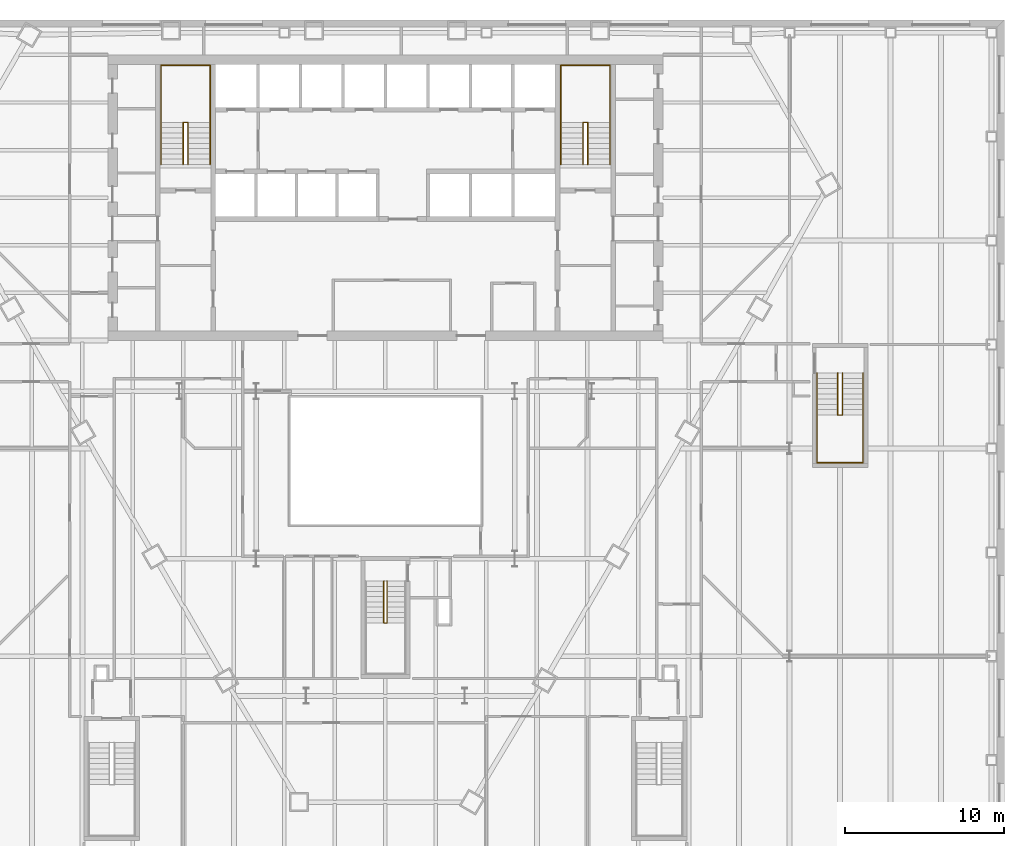
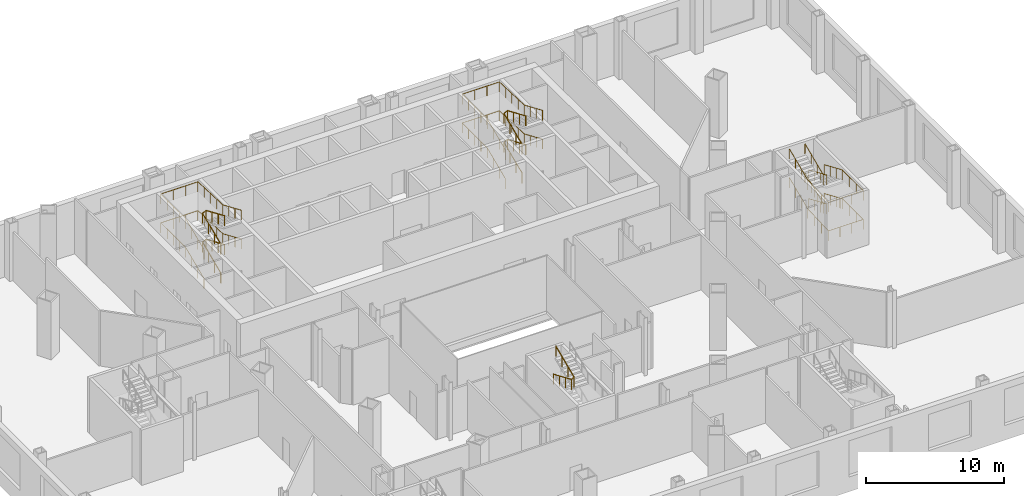
# One storey, part 20 of 20: 13 railings.
"""IFC4 building model written with IfcOpenShell, lengths in metres."""

from ifc_helpers import new_model, si_unit, direction, frame, origin, origin_2d, place, context, subcontext, project, spatial, circle, extrude, material, type_object, element, save


model = new_model("IFC4")

# Units and contexts
model_context = context("Model", 3, precision=1e-05, world=origin(), true_north=direction((0.0, 1.0)))
body_context = subcontext(model_context, "Body", "Model", "MODEL_VIEW")
ifc_project = project(units=[si_unit("LENGTHUNIT", "METRE"), si_unit("AREAUNIT", "SQUARE_METRE"), si_unit("VOLUMEUNIT", "CUBIC_METRE"), si_unit("PLANEANGLEUNIT", "RADIAN"), si_unit("MASSUNIT", "GRAM", prefix="KILO")], contexts=[model_context])

# Site, building, storey
site_placement = place(None, origin())
site = spatial("IfcSite", under=ifc_project, at=site_placement, CompositionType="ELEMENT")
building_placement = place(site_placement, origin())
building = spatial("IfcBuilding", under=site, at=building_placement, Name="Njiva Tower", CompositionType="ELEMENT")
storey_placement = place(building_placement, frame((0.0, 0.0, 18.6)))
storey = spatial("IfcBuildingStorey", under=building, at=storey_placement, Name="L03", CompositionType="ELEMENT", Elevation=18.6)

# Railings
ifc_material = material(Name="Stainless steel", Category="steel")
railing_type = type_object("IfcRailingType", Name="RL1 Stair handrail 900", PredefinedType="HANDRAIL", material=ifc_material)
railing_1_placement = place(storey_placement, frame((-14.15, 11.1, 0.1417)))
element("IfcRailing", 1, at=railing_1_placement, inside=storey, type_object=railing_type, Name="Stair A handrail", PredefinedType="HANDRAIL", context=body_context, shape_type="SweptSolid", body=[
    extrude(circle(Radius=0.024, at=origin_2d()), frame((0.0, 0.0, 0.876), z_axis=(0.0, 0.918909016762, 0.394469541173), x_axis=(-1.0, 0.0, 0.0)), (0.0, 0.0, 1.0), 2.873),
    extrude(circle(Radius=0.024, at=origin_2d()), frame((0.0, 2.64, 2.0093), z_axis=(0.0, 1.0, 0.0), x_axis=(-1.0, 0.0, 0.0)), (0.0, 0.0, 1.0), 3.61),
    extrude(circle(Radius=0.024, at=origin_2d()), frame((0.0, 6.25, 2.0093), z_axis=(1.0, 0.0, 0.0), x_axis=(0.0, 1.0, 0.0)), (0.0, 0.0, 1.0), 3.1),
    extrude(circle(Radius=0.024, at=origin_2d()), frame((3.1, 6.25, 2.0093), z_axis=(0.0, -0.99923052625, 0.039221874119), x_axis=(1.0, 0.0, 0.0)), (0.0, 0.0, 1.0), 3.6128),
    extrude(circle(Radius=0.024, at=origin_2d()), frame((3.1, 2.64, 2.151), z_axis=(0.0, -0.918909016762, 0.394469541173), x_axis=(1.0, 0.0, 0.0)), (0.0, 0.0, 1.0), 2.873),
    extrude(circle(Radius=0.021, at=origin_2d()), origin(), (0.0, 0.0, 1.0), 0.852),
    extrude(circle(Radius=0.021, at=origin_2d()), frame((0.0, 0.88, 0.3778)), (0.0, 0.0, 1.0), 0.852),
    extrude(circle(Radius=0.021, at=origin_2d()), frame((0.0, 1.76, 0.7555)), (0.0, 0.0, 1.0), 0.852),
    extrude(circle(Radius=0.021, at=origin_2d()), frame((0.0, 2.64, 1.1333)), (0.0, 0.0, 1.0), 0.852),
    extrude(circle(Radius=0.021, at=origin_2d()), frame((0.0, 3.5425, 1.1333)), (0.0, 0.0, 1.0), 0.852),
    extrude(circle(Radius=0.021, at=origin_2d()), frame((0.0, 4.445, 1.1333)), (0.0, 0.0, 1.0), 0.852),
    extrude(circle(Radius=0.021, at=origin_2d()), frame((0.0, 5.3475, 1.1333)), (0.0, 0.0, 1.0), 0.852),
    extrude(circle(Radius=0.021, at=origin_2d()), frame((0.0, 6.25, 1.1333)), (0.0, 0.0, 1.0), 0.852),
    extrude(circle(Radius=0.021, at=origin_2d()), frame((1.0333, 6.25, 1.1333)), (0.0, 0.0, 1.0), 0.852),
    extrude(circle(Radius=0.021, at=origin_2d()), frame((2.0667, 6.25, 1.1333)), (0.0, 0.0, 1.0), 0.852),
    extrude(circle(Radius=0.021, at=origin_2d()), frame((3.1, 6.25, 1.1333)), (0.0, 0.0, 1.0), 0.852),
    extrude(circle(Radius=0.021, at=origin_2d()), frame((3.1, 5.3475, 1.1687)), (0.0, 0.0, 1.0), 0.852),
    extrude(circle(Radius=0.021, at=origin_2d()), frame((3.1, 4.445, 1.2041)), (0.0, 0.0, 1.0), 0.852),
    extrude(circle(Radius=0.021, at=origin_2d()), frame((3.1, 3.5425, 1.2396)), (0.0, 0.0, 1.0), 0.852),
    extrude(circle(Radius=0.021, at=origin_2d()), frame((3.1, 2.64, 1.275)), (0.0, 0.0, 1.0), 0.852),
    extrude(circle(Radius=0.021, at=origin_2d()), frame((3.1, 1.76, 1.6528)), (0.0, 0.0, 1.0), 0.852),
    extrude(circle(Radius=0.021, at=origin_2d()), frame((3.1, 0.88, 2.0305)), (0.0, 0.0, 1.0), 0.852),
    extrude(circle(Radius=0.021, at=origin_2d()), frame((3.1, 0.0, 2.4083)), (0.0, 0.0, 1.0), 0.852),
])
railing_2_placement = place(storey_placement, frame((-12.75, 11.1, 0.1417)))
element("IfcRailing", 2, at=railing_2_placement, inside=storey, type_object=railing_type, Name="Stair A handrail", PredefinedType="HANDRAIL", context=body_context, shape_type="SweptSolid", body=[
    extrude(circle(Radius=0.024, at=origin_2d()), frame((0.0, 0.0, 0.876), z_axis=(0.0, 0.918909016762, 0.394469541173), x_axis=(-1.0, 0.0, 0.0)), (0.0, 0.0, 1.0), 2.873),
    extrude(circle(Radius=0.024, at=origin_2d()), frame((0.0, 2.64, 2.0093), z_axis=(0.904209850415, 0.0, 0.427088452679), x_axis=(0.0, 1.0, 0.0)), (0.0, 0.0, 1.0), 0.3318),
    extrude(circle(Radius=0.024, at=origin_2d()), frame((0.3, 2.64, 2.151), z_axis=(0.0, -0.918909016762, 0.394469541173), x_axis=(1.0, 0.0, 0.0)), (0.0, 0.0, 1.0), 2.873),
    extrude(circle(Radius=0.021, at=origin_2d()), origin(), (0.0, 0.0, 1.0), 0.852),
    extrude(circle(Radius=0.021, at=origin_2d()), frame((0.0, 0.88, 0.3778)), (0.0, 0.0, 1.0), 0.852),
    extrude(circle(Radius=0.021, at=origin_2d()), frame((0.0, 1.76, 0.7555)), (0.0, 0.0, 1.0), 0.852),
    extrude(circle(Radius=0.021, at=origin_2d()), frame((0.0, 2.64, 1.1333)), (0.0, 0.0, 1.0), 0.852),
    extrude(circle(Radius=0.021, at=origin_2d()), frame((0.3, 2.64, 1.275)), (0.0, 0.0, 1.0), 0.852),
    extrude(circle(Radius=0.021, at=origin_2d()), frame((0.3, 1.76, 1.6528)), (0.0, 0.0, 1.0), 0.852),
    extrude(circle(Radius=0.021, at=origin_2d()), frame((0.3, 0.88, 2.0305)), (0.0, 0.0, 1.0), 0.852),
    extrude(circle(Radius=0.021, at=origin_2d()), frame((0.3, 0.0, 2.4083)), (0.0, 0.0, 1.0), 0.852),
])
railing_3_placement = place(storey_placement, frame((-14.15, 11.1, 2.6917)))
element("IfcRailing", 3, at=railing_3_placement, inside=storey, type_object=railing_type, Name="Stair A handrail", PredefinedType="HANDRAIL", context=body_context, shape_type="SweptSolid", body=[
    extrude(circle(Radius=0.024, at=origin_2d()), frame((0.0, 0.0, 0.876), z_axis=(0.0, 0.918909016762, 0.394469541173), x_axis=(-1.0, 0.0, 0.0)), (0.0, 0.0, 1.0), 2.873),
    extrude(circle(Radius=0.024, at=origin_2d()), frame((0.0, 2.64, 2.0093), z_axis=(0.0, 1.0, 0.0), x_axis=(-1.0, 0.0, 0.0)), (0.0, 0.0, 1.0), 3.61),
    extrude(circle(Radius=0.024, at=origin_2d()), frame((0.0, 6.25, 2.0093), z_axis=(1.0, 0.0, 0.0), x_axis=(0.0, 1.0, 0.0)), (0.0, 0.0, 1.0), 3.1),
    extrude(circle(Radius=0.024, at=origin_2d()), frame((3.1, 6.25, 2.0093), z_axis=(0.0, -0.99923052625, 0.039221874119), x_axis=(1.0, 0.0, 0.0)), (0.0, 0.0, 1.0), 3.6128),
    extrude(circle(Radius=0.024, at=origin_2d()), frame((3.1, 2.64, 2.151), z_axis=(0.0, -0.918909016762, 0.394469541173), x_axis=(1.0, 0.0, 0.0)), (0.0, 0.0, 1.0), 2.873),
    extrude(circle(Radius=0.021, at=origin_2d()), origin(), (0.0, 0.0, 1.0), 0.852),
    extrude(circle(Radius=0.021, at=origin_2d()), frame((0.0, 0.88, 0.3778)), (0.0, 0.0, 1.0), 0.852),
    extrude(circle(Radius=0.021, at=origin_2d()), frame((0.0, 1.76, 0.7555)), (0.0, 0.0, 1.0), 0.852),
    extrude(circle(Radius=0.021, at=origin_2d()), frame((0.0, 2.64, 1.1333)), (0.0, 0.0, 1.0), 0.852),
    extrude(circle(Radius=0.021, at=origin_2d()), frame((0.0, 3.5425, 1.1333)), (0.0, 0.0, 1.0), 0.852),
    extrude(circle(Radius=0.021, at=origin_2d()), frame((0.0, 4.445, 1.1333)), (0.0, 0.0, 1.0), 0.852),
    extrude(circle(Radius=0.021, at=origin_2d()), frame((0.0, 5.3475, 1.1333)), (0.0, 0.0, 1.0), 0.852),
    extrude(circle(Radius=0.021, at=origin_2d()), frame((0.0, 6.25, 1.1333)), (0.0, 0.0, 1.0), 0.852),
    extrude(circle(Radius=0.021, at=origin_2d()), frame((1.0333, 6.25, 1.1333)), (0.0, 0.0, 1.0), 0.852),
    extrude(circle(Radius=0.021, at=origin_2d()), frame((2.0667, 6.25, 1.1333)), (0.0, 0.0, 1.0), 0.852),
    extrude(circle(Radius=0.021, at=origin_2d()), frame((3.1, 6.25, 1.1333)), (0.0, 0.0, 1.0), 0.852),
    extrude(circle(Radius=0.021, at=origin_2d()), frame((3.1, 5.3475, 1.1687)), (0.0, 0.0, 1.0), 0.852),
    extrude(circle(Radius=0.021, at=origin_2d()), frame((3.1, 4.445, 1.2042)), (0.0, 0.0, 1.0), 0.852),
    extrude(circle(Radius=0.021, at=origin_2d()), frame((3.1, 3.5425, 1.2396)), (0.0, 0.0, 1.0), 0.852),
    extrude(circle(Radius=0.021, at=origin_2d()), frame((3.1, 2.64, 1.275)), (0.0, 0.0, 1.0), 0.852),
    extrude(circle(Radius=0.021, at=origin_2d()), frame((3.1, 1.76, 1.6528)), (0.0, 0.0, 1.0), 0.852),
    extrude(circle(Radius=0.021, at=origin_2d()), frame((3.1, 0.88, 2.0305)), (0.0, 0.0, 1.0), 0.852),
    extrude(circle(Radius=0.021, at=origin_2d()), frame((3.1, 0.0, 2.4083)), (0.0, 0.0, 1.0), 0.852),
])
railing_4_placement = place(storey_placement, frame((-12.75, 11.1, 2.6917)))
element("IfcRailing", 4, at=railing_4_placement, inside=storey, type_object=railing_type, Name="Stair A handrail", PredefinedType="HANDRAIL", context=body_context, shape_type="SweptSolid", body=[
    extrude(circle(Radius=0.024, at=origin_2d()), frame((0.0, 0.0, 0.876), z_axis=(0.0, 0.918909016762, 0.394469541173), x_axis=(-1.0, 0.0, 0.0)), (0.0, 0.0, 1.0), 2.873),
    extrude(circle(Radius=0.024, at=origin_2d()), frame((0.0, 2.64, 2.0093), z_axis=(0.904209850415, 0.0, 0.427088452679), x_axis=(0.0, 1.0, 0.0)), (0.0, 0.0, 1.0), 0.3318),
    extrude(circle(Radius=0.024, at=origin_2d()), frame((0.3, 2.64, 2.151), z_axis=(0.0, -0.918909016762, 0.394469541173), x_axis=(1.0, 0.0, 0.0)), (0.0, 0.0, 1.0), 2.873),
    extrude(circle(Radius=0.021, at=origin_2d()), origin(), (0.0, 0.0, 1.0), 0.852),
    extrude(circle(Radius=0.021, at=origin_2d()), frame((0.0, 0.88, 0.3778)), (0.0, 0.0, 1.0), 0.852),
    extrude(circle(Radius=0.021, at=origin_2d()), frame((0.0, 1.76, 0.7555)), (0.0, 0.0, 1.0), 0.852),
    extrude(circle(Radius=0.021, at=origin_2d()), frame((0.0, 2.64, 1.1333)), (0.0, 0.0, 1.0), 0.852),
    extrude(circle(Radius=0.021, at=origin_2d()), frame((0.3, 2.64, 1.275)), (0.0, 0.0, 1.0), 0.852),
    extrude(circle(Radius=0.021, at=origin_2d()), frame((0.3, 1.76, 1.6528)), (0.0, 0.0, 1.0), 0.852),
    extrude(circle(Radius=0.021, at=origin_2d()), frame((0.3, 0.88, 2.0305)), (0.0, 0.0, 1.0), 0.852),
    extrude(circle(Radius=0.021, at=origin_2d()), frame((0.3, 0.0, 2.4083)), (0.0, 0.0, 1.0), 0.852),
])
railing_5_placement = place(storey_placement, frame((11.05, 11.1, 0.1417)))
element("IfcRailing", 5, at=railing_5_placement, inside=storey, type_object=railing_type, Name="Stair B handrail", PredefinedType="HANDRAIL", context=body_context, shape_type="SweptSolid", body=[
    extrude(circle(Radius=0.024, at=origin_2d()), frame((0.0, 0.0, 0.876), z_axis=(0.0, 0.918909016762, 0.394469541173), x_axis=(-1.0, 0.0, 0.0)), (0.0, 0.0, 1.0), 2.873),
    extrude(circle(Radius=0.024, at=origin_2d()), frame((0.0, 2.64, 2.0093), z_axis=(0.0, 1.0, 0.0), x_axis=(-1.0, 0.0, 0.0)), (0.0, 0.0, 1.0), 3.61),
    extrude(circle(Radius=0.024, at=origin_2d()), frame((0.0, 6.25, 2.0093), z_axis=(1.0, 0.0, 0.0), x_axis=(0.0, 1.0, 0.0)), (0.0, 0.0, 1.0), 3.1),
    extrude(circle(Radius=0.024, at=origin_2d()), frame((3.1, 6.25, 2.0093), z_axis=(0.0, -0.99923052625, 0.039221874119), x_axis=(1.0, 0.0, 0.0)), (0.0, 0.0, 1.0), 3.6128),
    extrude(circle(Radius=0.024, at=origin_2d()), frame((3.1, 2.64, 2.151), z_axis=(0.0, -0.918909016762, 0.394469541173), x_axis=(1.0, 0.0, 0.0)), (0.0, 0.0, 1.0), 2.873),
    extrude(circle(Radius=0.021, at=origin_2d()), origin(), (0.0, 0.0, 1.0), 0.852),
    extrude(circle(Radius=0.021, at=origin_2d()), frame((0.0, 0.88, 0.3778)), (0.0, 0.0, 1.0), 0.852),
    extrude(circle(Radius=0.021, at=origin_2d()), frame((0.0, 1.76, 0.7555)), (0.0, 0.0, 1.0), 0.852),
    extrude(circle(Radius=0.021, at=origin_2d()), frame((0.0, 2.64, 1.1333)), (0.0, 0.0, 1.0), 0.852),
    extrude(circle(Radius=0.021, at=origin_2d()), frame((0.0, 3.5425, 1.1333)), (0.0, 0.0, 1.0), 0.852),
    extrude(circle(Radius=0.021, at=origin_2d()), frame((0.0, 4.445, 1.1333)), (0.0, 0.0, 1.0), 0.852),
    extrude(circle(Radius=0.021, at=origin_2d()), frame((0.0, 5.3475, 1.1333)), (0.0, 0.0, 1.0), 0.852),
    extrude(circle(Radius=0.021, at=origin_2d()), frame((0.0, 6.25, 1.1333)), (0.0, 0.0, 1.0), 0.852),
    extrude(circle(Radius=0.021, at=origin_2d()), frame((1.0333, 6.25, 1.1333)), (0.0, 0.0, 1.0), 0.852),
    extrude(circle(Radius=0.021, at=origin_2d()), frame((2.0667, 6.25, 1.1333)), (0.0, 0.0, 1.0), 0.852),
    extrude(circle(Radius=0.021, at=origin_2d()), frame((3.1, 6.25, 1.1333)), (0.0, 0.0, 1.0), 0.852),
    extrude(circle(Radius=0.021, at=origin_2d()), frame((3.1, 5.3475, 1.1687)), (0.0, 0.0, 1.0), 0.852),
    extrude(circle(Radius=0.021, at=origin_2d()), frame((3.1, 4.445, 1.2041)), (0.0, 0.0, 1.0), 0.852),
    extrude(circle(Radius=0.021, at=origin_2d()), frame((3.1, 3.5425, 1.2396)), (0.0, 0.0, 1.0), 0.852),
    extrude(circle(Radius=0.021, at=origin_2d()), frame((3.1, 2.64, 1.275)), (0.0, 0.0, 1.0), 0.852),
    extrude(circle(Radius=0.021, at=origin_2d()), frame((3.1, 1.76, 1.6528)), (0.0, 0.0, 1.0), 0.852),
    extrude(circle(Radius=0.021, at=origin_2d()), frame((3.1, 0.88, 2.0305)), (0.0, 0.0, 1.0), 0.852),
    extrude(circle(Radius=0.021, at=origin_2d()), frame((3.1, 0.0, 2.4083)), (0.0, 0.0, 1.0), 0.852),
])
railing_6_placement = place(storey_placement, frame((12.45, 11.1, 0.1417)))
element("IfcRailing", 6, at=railing_6_placement, inside=storey, type_object=railing_type, Name="Stair B handrail", PredefinedType="HANDRAIL", context=body_context, shape_type="SweptSolid", body=[
    extrude(circle(Radius=0.024, at=origin_2d()), frame((0.0, 0.0, 0.876), z_axis=(0.0, 0.918909016762, 0.394469541173), x_axis=(-1.0, 0.0, 0.0)), (0.0, 0.0, 1.0), 2.873),
    extrude(circle(Radius=0.024, at=origin_2d()), frame((0.0, 2.64, 2.0093), z_axis=(0.904209850415, 0.0, 0.427088452679), x_axis=(0.0, 1.0, 0.0)), (0.0, 0.0, 1.0), 0.3318),
    extrude(circle(Radius=0.024, at=origin_2d()), frame((0.3, 2.64, 2.151), z_axis=(0.0, -0.918909016762, 0.394469541173), x_axis=(1.0, 0.0, 0.0)), (0.0, 0.0, 1.0), 2.873),
    extrude(circle(Radius=0.021, at=origin_2d()), origin(), (0.0, 0.0, 1.0), 0.852),
    extrude(circle(Radius=0.021, at=origin_2d()), frame((0.0, 0.88, 0.3778)), (0.0, 0.0, 1.0), 0.852),
    extrude(circle(Radius=0.021, at=origin_2d()), frame((0.0, 1.76, 0.7555)), (0.0, 0.0, 1.0), 0.852),
    extrude(circle(Radius=0.021, at=origin_2d()), frame((0.0, 2.64, 1.1333)), (0.0, 0.0, 1.0), 0.852),
    extrude(circle(Radius=0.021, at=origin_2d()), frame((0.3, 2.64, 1.275)), (0.0, 0.0, 1.0), 0.852),
    extrude(circle(Radius=0.021, at=origin_2d()), frame((0.3, 1.76, 1.6528)), (0.0, 0.0, 1.0), 0.852),
    extrude(circle(Radius=0.021, at=origin_2d()), frame((0.3, 0.88, 2.0305)), (0.0, 0.0, 1.0), 0.852),
    extrude(circle(Radius=0.021, at=origin_2d()), frame((0.3, 0.0, 2.4083)), (0.0, 0.0, 1.0), 0.852),
])
railing_7_placement = place(storey_placement, frame((11.05, 11.1, 2.6917)))
element("IfcRailing", 7, at=railing_7_placement, inside=storey, type_object=railing_type, Name="Stair B handrail", PredefinedType="HANDRAIL", context=body_context, shape_type="SweptSolid", body=[
    extrude(circle(Radius=0.024, at=origin_2d()), frame((0.0, 0.0, 0.876), z_axis=(0.0, 0.918909016762, 0.394469541173), x_axis=(-1.0, 0.0, 0.0)), (0.0, 0.0, 1.0), 2.873),
    extrude(circle(Radius=0.024, at=origin_2d()), frame((0.0, 2.64, 2.0093), z_axis=(0.0, 1.0, 0.0), x_axis=(-1.0, 0.0, 0.0)), (0.0, 0.0, 1.0), 3.61),
    extrude(circle(Radius=0.024, at=origin_2d()), frame((0.0, 6.25, 2.0093), z_axis=(1.0, 0.0, 0.0), x_axis=(0.0, 1.0, 0.0)), (0.0, 0.0, 1.0), 3.1),
    extrude(circle(Radius=0.024, at=origin_2d()), frame((3.1, 6.25, 2.0093), z_axis=(0.0, -0.99923052625, 0.039221874119), x_axis=(1.0, 0.0, 0.0)), (0.0, 0.0, 1.0), 3.6128),
    extrude(circle(Radius=0.024, at=origin_2d()), frame((3.1, 2.64, 2.151), z_axis=(0.0, -0.918909016762, 0.394469541173), x_axis=(1.0, 0.0, 0.0)), (0.0, 0.0, 1.0), 2.873),
    extrude(circle(Radius=0.021, at=origin_2d()), origin(), (0.0, 0.0, 1.0), 0.852),
    extrude(circle(Radius=0.021, at=origin_2d()), frame((0.0, 0.88, 0.3778)), (0.0, 0.0, 1.0), 0.852),
    extrude(circle(Radius=0.021, at=origin_2d()), frame((0.0, 1.76, 0.7555)), (0.0, 0.0, 1.0), 0.852),
    extrude(circle(Radius=0.021, at=origin_2d()), frame((0.0, 2.64, 1.1333)), (0.0, 0.0, 1.0), 0.852),
    extrude(circle(Radius=0.021, at=origin_2d()), frame((0.0, 3.5425, 1.1333)), (0.0, 0.0, 1.0), 0.852),
    extrude(circle(Radius=0.021, at=origin_2d()), frame((0.0, 4.445, 1.1333)), (0.0, 0.0, 1.0), 0.852),
    extrude(circle(Radius=0.021, at=origin_2d()), frame((0.0, 5.3475, 1.1333)), (0.0, 0.0, 1.0), 0.852),
    extrude(circle(Radius=0.021, at=origin_2d()), frame((0.0, 6.25, 1.1333)), (0.0, 0.0, 1.0), 0.852),
    extrude(circle(Radius=0.021, at=origin_2d()), frame((1.0333, 6.25, 1.1333)), (0.0, 0.0, 1.0), 0.852),
    extrude(circle(Radius=0.021, at=origin_2d()), frame((2.0667, 6.25, 1.1333)), (0.0, 0.0, 1.0), 0.852),
    extrude(circle(Radius=0.021, at=origin_2d()), frame((3.1, 6.25, 1.1333)), (0.0, 0.0, 1.0), 0.852),
    extrude(circle(Radius=0.021, at=origin_2d()), frame((3.1, 5.3475, 1.1687)), (0.0, 0.0, 1.0), 0.852),
    extrude(circle(Radius=0.021, at=origin_2d()), frame((3.1, 4.445, 1.2042)), (0.0, 0.0, 1.0), 0.852),
    extrude(circle(Radius=0.021, at=origin_2d()), frame((3.1, 3.5425, 1.2396)), (0.0, 0.0, 1.0), 0.852),
    extrude(circle(Radius=0.021, at=origin_2d()), frame((3.1, 2.64, 1.275)), (0.0, 0.0, 1.0), 0.852),
    extrude(circle(Radius=0.021, at=origin_2d()), frame((3.1, 1.76, 1.6528)), (0.0, 0.0, 1.0), 0.852),
    extrude(circle(Radius=0.021, at=origin_2d()), frame((3.1, 0.88, 2.0305)), (0.0, 0.0, 1.0), 0.852),
    extrude(circle(Radius=0.021, at=origin_2d()), frame((3.1, 0.0, 2.4083)), (0.0, 0.0, 1.0), 0.852),
])
railing_8_placement = place(storey_placement, frame((12.45, 11.1, 2.6917)))
element("IfcRailing", 8, at=railing_8_placement, inside=storey, type_object=railing_type, Name="Stair B handrail", PredefinedType="HANDRAIL", context=body_context, shape_type="SweptSolid", body=[
    extrude(circle(Radius=0.024, at=origin_2d()), frame((0.0, 0.0, 0.876), z_axis=(0.0, 0.918909016762, 0.394469541173), x_axis=(-1.0, 0.0, 0.0)), (0.0, 0.0, 1.0), 2.873),
    extrude(circle(Radius=0.024, at=origin_2d()), frame((0.0, 2.64, 2.0093), z_axis=(0.904209850415, 0.0, 0.427088452679), x_axis=(0.0, 1.0, 0.0)), (0.0, 0.0, 1.0), 0.3318),
    extrude(circle(Radius=0.024, at=origin_2d()), frame((0.3, 2.64, 2.151), z_axis=(0.0, -0.918909016762, 0.394469541173), x_axis=(1.0, 0.0, 0.0)), (0.0, 0.0, 1.0), 2.873),
    extrude(circle(Radius=0.021, at=origin_2d()), origin(), (0.0, 0.0, 1.0), 0.852),
    extrude(circle(Radius=0.021, at=origin_2d()), frame((0.0, 0.88, 0.3778)), (0.0, 0.0, 1.0), 0.852),
    extrude(circle(Radius=0.021, at=origin_2d()), frame((0.0, 1.76, 0.7555)), (0.0, 0.0, 1.0), 0.852),
    extrude(circle(Radius=0.021, at=origin_2d()), frame((0.0, 2.64, 1.1333)), (0.0, 0.0, 1.0), 0.852),
    extrude(circle(Radius=0.021, at=origin_2d()), frame((0.3, 2.64, 1.275)), (0.0, 0.0, 1.0), 0.852),
    extrude(circle(Radius=0.021, at=origin_2d()), frame((0.3, 1.76, 1.6528)), (0.0, 0.0, 1.0), 0.852),
    extrude(circle(Radius=0.021, at=origin_2d()), frame((0.3, 0.88, 2.0305)), (0.0, 0.0, 1.0), 0.852),
    extrude(circle(Radius=0.021, at=origin_2d()), frame((0.3, 0.0, 2.4083)), (0.0, 0.0, 1.0), 0.852),
])
railing_9_placement = place(storey_placement, frame((-0.1, -15.16, 2.6917)))
element("IfcRailing", 9, at=railing_9_placement, inside=storey, type_object=railing_type, Name="Stair C handrail", PredefinedType="HANDRAIL", context=body_context, shape_type="SweptSolid", body=[
    extrude(circle(Radius=0.024, at=origin_2d()), frame((0.0, 0.0, 0.876), z_axis=(0.0, -0.918909016762, 0.394469541173), x_axis=(1.0, 0.0, 0.0)), (0.0, 0.0, 1.0), 2.873),
    extrude(circle(Radius=0.024, at=origin_2d()), frame((0.0, -2.64, 2.0093), z_axis=(0.815960331218, 0.0, 0.578107894668), x_axis=(0.0, 1.0, 0.0)), (0.0, 0.0, 1.0), 0.2451),
    extrude(circle(Radius=0.024, at=origin_2d()), frame((0.2, -2.64, 2.151), z_axis=(0.0, 0.918909016762, 0.394469541173), x_axis=(-1.0, 0.0, 0.0)), (0.0, 0.0, 1.0), 2.873),
    extrude(circle(Radius=0.021, at=origin_2d()), origin(), (0.0, 0.0, 1.0), 0.852),
    extrude(circle(Radius=0.021, at=origin_2d()), frame((0.0, -0.88, 0.3778)), (0.0, 0.0, 1.0), 0.852),
    extrude(circle(Radius=0.021, at=origin_2d()), frame((0.0, -1.76, 0.7555)), (0.0, 0.0, 1.0), 0.852),
    extrude(circle(Radius=0.021, at=origin_2d()), frame((0.0, -2.64, 1.1333)), (0.0, 0.0, 1.0), 0.852),
    extrude(circle(Radius=0.021, at=origin_2d()), frame((0.2, -2.64, 1.275)), (0.0, 0.0, 1.0), 0.852),
    extrude(circle(Radius=0.021, at=origin_2d()), frame((0.2, -1.76, 1.6528)), (0.0, 0.0, 1.0), 0.852),
    extrude(circle(Radius=0.021, at=origin_2d()), frame((0.2, -0.88, 2.0305)), (0.0, 0.0, 1.0), 0.852),
    extrude(circle(Radius=0.021, at=origin_2d()), frame((0.2, 0.0, 2.4083)), (0.0, 0.0, 1.0), 0.852),
])
railing_10_placement = place(storey_placement, frame((30.1, -2.05, 0.1417)))
element("IfcRailing", 10, at=railing_10_placement, inside=storey, type_object=railing_type, Name="Stair G handrail", PredefinedType="HANDRAIL", context=body_context, shape_type="SweptSolid", body=[
    extrude(circle(Radius=0.024, at=origin_2d()), frame((0.0, 0.0, 0.876), z_axis=(0.0, -0.918909016762, 0.394469541173), x_axis=(1.0, 0.0, 0.0)), (0.0, 0.0, 1.0), 2.873),
    extrude(circle(Radius=0.024, at=origin_2d()), frame((0.0, -2.64, 2.0093), z_axis=(0.0, -1.0, 0.0), x_axis=(1.0, 0.0, 0.0)), (0.0, 0.0, 1.0), 3.01),
    extrude(circle(Radius=0.024, at=origin_2d()), frame((0.0, -5.65, 2.0093), z_axis=(-1.0, 0.0, 0.0), x_axis=(0.0, -1.0, 0.0)), (0.0, 0.0, 1.0), 2.9),
    extrude(circle(Radius=0.024, at=origin_2d()), frame((-2.9, -5.65, 2.0093), z_axis=(0.0, 0.998893744133, 0.047024333403), x_axis=(-1.0, 0.0, 0.0)), (0.0, 0.0, 1.0), 3.0133),
    extrude(circle(Radius=0.024, at=origin_2d()), frame((-2.9, -2.64, 2.151), z_axis=(0.0, 0.918909016762, 0.394469541173), x_axis=(-1.0, 0.0, 0.0)), (0.0, 0.0, 1.0), 2.873),
    extrude(circle(Radius=0.021, at=origin_2d()), origin(), (0.0, 0.0, 1.0), 0.852),
    extrude(circle(Radius=0.021, at=origin_2d()), frame((0.0, -0.88, 0.3778)), (0.0, 0.0, 1.0), 0.852),
    extrude(circle(Radius=0.021, at=origin_2d()), frame((0.0, -1.76, 0.7555)), (0.0, 0.0, 1.0), 0.852),
    extrude(circle(Radius=0.021, at=origin_2d()), frame((0.0, -2.64, 1.1333)), (0.0, 0.0, 1.0), 0.852),
    extrude(circle(Radius=0.021, at=origin_2d()), frame((0.0, -3.6433, 1.1333)), (0.0, 0.0, 1.0), 0.852),
    extrude(circle(Radius=0.021, at=origin_2d()), frame((0.0, -4.6467, 1.1333)), (0.0, 0.0, 1.0), 0.852),
    extrude(circle(Radius=0.021, at=origin_2d()), frame((0.0, -5.65, 1.1333)), (0.0, 0.0, 1.0), 0.852),
    extrude(circle(Radius=0.021, at=origin_2d()), frame((-0.9667, -5.65, 1.1333)), (0.0, 0.0, 1.0), 0.852),
    extrude(circle(Radius=0.021, at=origin_2d()), frame((-1.9333, -5.65, 1.1333)), (0.0, 0.0, 1.0), 0.852),
    extrude(circle(Radius=0.021, at=origin_2d()), frame((-2.9, -5.65, 1.1333)), (0.0, 0.0, 1.0), 0.852),
    extrude(circle(Radius=0.021, at=origin_2d()), frame((-2.9, -4.6467, 1.1805)), (0.0, 0.0, 1.0), 0.852),
    extrude(circle(Radius=0.021, at=origin_2d()), frame((-2.9, -3.6433, 1.2278)), (0.0, 0.0, 1.0), 0.852),
    extrude(circle(Radius=0.021, at=origin_2d()), frame((-2.9, -2.64, 1.275)), (0.0, 0.0, 1.0), 0.852),
    extrude(circle(Radius=0.021, at=origin_2d()), frame((-2.9, -1.76, 1.6528)), (0.0, 0.0, 1.0), 0.852),
    extrude(circle(Radius=0.021, at=origin_2d()), frame((-2.9, -0.88, 2.0305)), (0.0, 0.0, 1.0), 0.852),
    extrude(circle(Radius=0.021, at=origin_2d()), frame((-2.9, 0.0, 2.4083)), (0.0, 0.0, 1.0), 0.852),
])
railing_11_placement = place(storey_placement, frame((28.8, -2.05, 0.1417)))
element("IfcRailing", 11, at=railing_11_placement, inside=storey, type_object=railing_type, Name="Stair G handrail", PredefinedType="HANDRAIL", context=body_context, shape_type="SweptSolid", body=[
    extrude(circle(Radius=0.024, at=origin_2d()), frame((0.0, 0.0, 0.876), z_axis=(0.0, -0.918909016762, 0.394469541173), x_axis=(1.0, 0.0, 0.0)), (0.0, 0.0, 1.0), 2.873),
    extrude(circle(Radius=0.024, at=origin_2d()), frame((0.0, -2.64, 2.0093), z_axis=(-0.904209850415, 0.0, 0.427088452679), x_axis=(0.0, -1.0, 0.0)), (0.0, 0.0, 1.0), 0.3318),
    extrude(circle(Radius=0.024, at=origin_2d()), frame((-0.3, -2.64, 2.151), z_axis=(0.0, 0.918909016762, 0.394469541173), x_axis=(-1.0, 0.0, 0.0)), (0.0, 0.0, 1.0), 2.873),
    extrude(circle(Radius=0.021, at=origin_2d()), origin(), (0.0, 0.0, 1.0), 0.852),
    extrude(circle(Radius=0.021, at=origin_2d()), frame((0.0, -0.88, 0.3778)), (0.0, 0.0, 1.0), 0.852),
    extrude(circle(Radius=0.021, at=origin_2d()), frame((0.0, -1.76, 0.7555)), (0.0, 0.0, 1.0), 0.852),
    extrude(circle(Radius=0.021, at=origin_2d()), frame((0.0, -2.64, 1.1333)), (0.0, 0.0, 1.0), 0.852),
    extrude(circle(Radius=0.021, at=origin_2d()), frame((-0.3, -2.64, 1.275)), (0.0, 0.0, 1.0), 0.852),
    extrude(circle(Radius=0.021, at=origin_2d()), frame((-0.3, -1.76, 1.6528)), (0.0, 0.0, 1.0), 0.852),
    extrude(circle(Radius=0.021, at=origin_2d()), frame((-0.3, -0.88, 2.0305)), (0.0, 0.0, 1.0), 0.852),
    extrude(circle(Radius=0.021, at=origin_2d()), frame((-0.3, 0.0, 2.4083)), (0.0, 0.0, 1.0), 0.852),
])
railing_12_placement = place(storey_placement, frame((30.1, -2.05, 2.6917)))
element("IfcRailing", 12, at=railing_12_placement, inside=storey, type_object=railing_type, Name="Stair G handrail", PredefinedType="HANDRAIL", context=body_context, shape_type="SweptSolid", body=[
    extrude(circle(Radius=0.024, at=origin_2d()), frame((0.0, 0.0, 0.876), z_axis=(0.0, -0.918909016762, 0.394469541173), x_axis=(1.0, 0.0, 0.0)), (0.0, 0.0, 1.0), 2.873),
    extrude(circle(Radius=0.024, at=origin_2d()), frame((0.0, -2.64, 2.0093), z_axis=(0.0, -1.0, 0.0), x_axis=(1.0, 0.0, 0.0)), (0.0, 0.0, 1.0), 3.01),
    extrude(circle(Radius=0.024, at=origin_2d()), frame((0.0, -5.65, 2.0093), z_axis=(-1.0, 0.0, 0.0), x_axis=(0.0, -1.0, 0.0)), (0.0, 0.0, 1.0), 2.9),
    extrude(circle(Radius=0.024, at=origin_2d()), frame((-2.9, -5.65, 2.0093), z_axis=(0.0, 0.998893744133, 0.047024333403), x_axis=(-1.0, 0.0, 0.0)), (0.0, 0.0, 1.0), 3.0133),
    extrude(circle(Radius=0.024, at=origin_2d()), frame((-2.9, -2.64, 2.151), z_axis=(0.0, 0.918909016762, 0.394469541173), x_axis=(-1.0, 0.0, 0.0)), (0.0, 0.0, 1.0), 2.873),
    extrude(circle(Radius=0.021, at=origin_2d()), origin(), (0.0, 0.0, 1.0), 0.852),
    extrude(circle(Radius=0.021, at=origin_2d()), frame((0.0, -0.88, 0.3778)), (0.0, 0.0, 1.0), 0.852),
    extrude(circle(Radius=0.021, at=origin_2d()), frame((0.0, -1.76, 0.7555)), (0.0, 0.0, 1.0), 0.852),
    extrude(circle(Radius=0.021, at=origin_2d()), frame((0.0, -2.64, 1.1333)), (0.0, 0.0, 1.0), 0.852),
    extrude(circle(Radius=0.021, at=origin_2d()), frame((0.0, -3.6433, 1.1333)), (0.0, 0.0, 1.0), 0.852),
    extrude(circle(Radius=0.021, at=origin_2d()), frame((0.0, -4.6467, 1.1333)), (0.0, 0.0, 1.0), 0.852),
    extrude(circle(Radius=0.021, at=origin_2d()), frame((0.0, -5.65, 1.1333)), (0.0, 0.0, 1.0), 0.852),
    extrude(circle(Radius=0.021, at=origin_2d()), frame((-0.9667, -5.65, 1.1333)), (0.0, 0.0, 1.0), 0.852),
    extrude(circle(Radius=0.021, at=origin_2d()), frame((-1.9333, -5.65, 1.1333)), (0.0, 0.0, 1.0), 0.852),
    extrude(circle(Radius=0.021, at=origin_2d()), frame((-2.9, -5.65, 1.1333)), (0.0, 0.0, 1.0), 0.852),
    extrude(circle(Radius=0.021, at=origin_2d()), frame((-2.9, -4.6467, 1.1805)), (0.0, 0.0, 1.0), 0.852),
    extrude(circle(Radius=0.021, at=origin_2d()), frame((-2.9, -3.6433, 1.2278)), (0.0, 0.0, 1.0), 0.852),
    extrude(circle(Radius=0.021, at=origin_2d()), frame((-2.9, -2.64, 1.275)), (0.0, 0.0, 1.0), 0.852),
    extrude(circle(Radius=0.021, at=origin_2d()), frame((-2.9, -1.76, 1.6528)), (0.0, 0.0, 1.0), 0.852),
    extrude(circle(Radius=0.021, at=origin_2d()), frame((-2.9, -0.88, 2.0305)), (0.0, 0.0, 1.0), 0.852),
    extrude(circle(Radius=0.021, at=origin_2d()), frame((-2.9, 0.0, 2.4083)), (0.0, 0.0, 1.0), 0.852),
])
railing_13_placement = place(storey_placement, frame((28.8, -2.05, 2.6917)))
element("IfcRailing", 13, at=railing_13_placement, inside=storey, type_object=railing_type, Name="Stair G handrail", PredefinedType="HANDRAIL", context=body_context, shape_type="SweptSolid", body=[
    extrude(circle(Radius=0.024, at=origin_2d()), frame((0.0, 0.0, 0.876), z_axis=(0.0, -0.918909016762, 0.394469541173), x_axis=(1.0, 0.0, 0.0)), (0.0, 0.0, 1.0), 2.873),
    extrude(circle(Radius=0.024, at=origin_2d()), frame((0.0, -2.64, 2.0093), z_axis=(-0.904209850415, 0.0, 0.427088452679), x_axis=(0.0, -1.0, 0.0)), (0.0, 0.0, 1.0), 0.3318),
    extrude(circle(Radius=0.024, at=origin_2d()), frame((-0.3, -2.64, 2.151), z_axis=(0.0, 0.918909016762, 0.394469541173), x_axis=(-1.0, 0.0, 0.0)), (0.0, 0.0, 1.0), 2.873),
    extrude(circle(Radius=0.021, at=origin_2d()), origin(), (0.0, 0.0, 1.0), 0.852),
    extrude(circle(Radius=0.021, at=origin_2d()), frame((0.0, -0.88, 0.3778)), (0.0, 0.0, 1.0), 0.852),
    extrude(circle(Radius=0.021, at=origin_2d()), frame((0.0, -1.76, 0.7555)), (0.0, 0.0, 1.0), 0.852),
    extrude(circle(Radius=0.021, at=origin_2d()), frame((0.0, -2.64, 1.1333)), (0.0, 0.0, 1.0), 0.852),
    extrude(circle(Radius=0.021, at=origin_2d()), frame((-0.3, -2.64, 1.275)), (0.0, 0.0, 1.0), 0.852),
    extrude(circle(Radius=0.021, at=origin_2d()), frame((-0.3, -1.76, 1.6528)), (0.0, 0.0, 1.0), 0.852),
    extrude(circle(Radius=0.021, at=origin_2d()), frame((-0.3, -0.88, 2.0305)), (0.0, 0.0, 1.0), 0.852),
    extrude(circle(Radius=0.021, at=origin_2d()), frame((-0.3, 0.0, 2.4083)), (0.0, 0.0, 1.0), 0.852),
])

save(model, "model.ifc")
